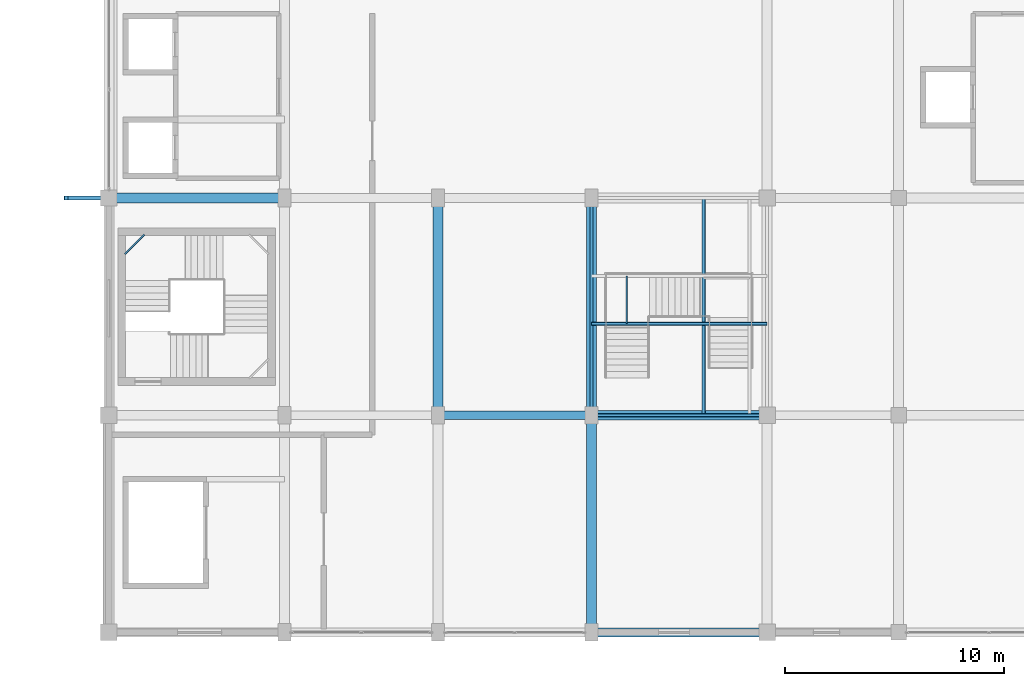
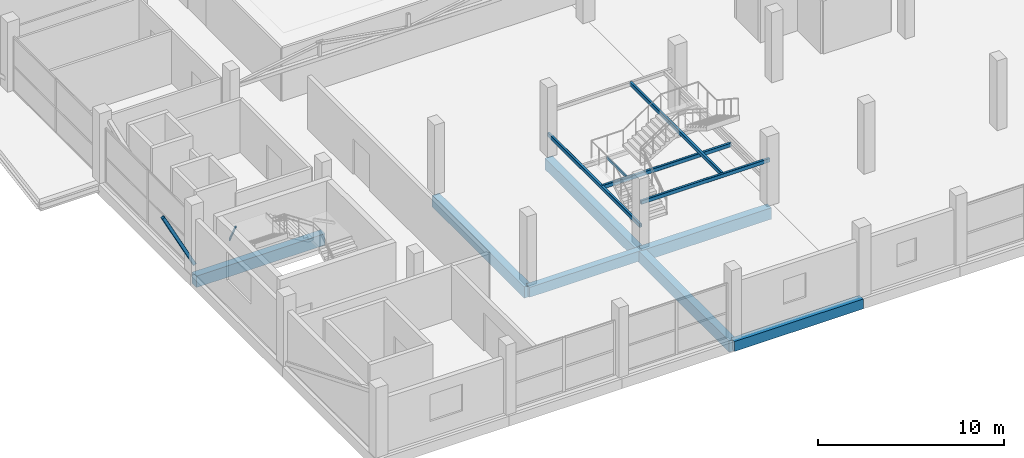
# One storey, part 5 of 58: 13 beams, 1 member.
"""IFC4 building model written with IfcOpenShell, lengths in metres."""

from ifc_helpers import new_model, si_unit, direction, frame, origin, origin_2d, place, context, subcontext, project, spatial, rectangle, hollow_rectangle, extrude, material, material_profile, profile_set, type_object, element, save


model = new_model("IFC4")

# Units and contexts
model_context = context("Model", 3, precision=1e-05, world=origin(), true_north=direction((0.0, 1.0)))
body_context = subcontext(model_context, "Body", "Model", "MODEL_VIEW")
ifc_project = project(units=[si_unit("LENGTHUNIT", "METRE"), si_unit("AREAUNIT", "SQUARE_METRE"), si_unit("VOLUMEUNIT", "CUBIC_METRE"), si_unit("PLANEANGLEUNIT", "RADIAN"), si_unit("MASSUNIT", "GRAM", prefix="KILO")], contexts=[model_context])

# Site, building, storey
site_placement = place(None, origin())
site = spatial("IfcSite", under=ifc_project, at=site_placement, CompositionType="ELEMENT")
building_placement = place(site_placement, origin())
building = spatial("IfcBuilding", under=site, at=building_placement, Name="Sillaruma Civic Art Gallery", CompositionType="ELEMENT")
storey_placement = place(building_placement, frame((0.0, 0.0, 28.56005859375)))
storey = spatial("IfcBuildingStorey", under=building, at=storey_placement, Name="L05", CompositionType="ELEMENT", Elevation=28.56005859375)

# Beams
ifc_material_1 = material(Name="Concrete H35 (35 MPa)", Category="concrete")
ifc_material_profile_1 = material_profile(ifc_material_1, rectangle(XDim=0.39990234375, YDim=0.64990234375, at=origin_2d()), Name="RCB400x650")
ifc_profile_set_1 = profile_set([ifc_material_profile_1], Name="Concrete H35 (35 MPa)")
beam_type_1 = type_object("IfcBeamType", Name="BM-BEAM-RCB400x650", PredefinedType="BEAM", material=ifc_profile_set_1)
beam_1_placement = place(storey_placement, frame((77.0, 29.699951171875, -0.60498046875), z_axis=(1.0, 0.0, 0.0), x_axis=(0.0, 1.0, 0.0)))
element("IfcBeam", 1, at=beam_1_placement, inside=storey, type_object=beam_type_1, Name="Beam BM-05 (L04:4:H-J)", PredefinedType="BEAM", context=body_context, shape_type="SweptSolid", body=[
    extrude(rectangle(XDim=0.39990234375, YDim=0.64990234375, at=origin_2d()), origin(), (0.0, 0.0, 1.0), 7.0),
])
ifc_material_2 = material(Name="Concrete H40 (40 MPa)", Category="concrete")
ifc_material_profile_2 = material_profile(ifc_material_2, rectangle(XDim=0.449951171875, YDim=0.75, at=origin_2d()), Name="RCB450x750")
ifc_profile_set_2 = profile_set([ifc_material_profile_2], Name="Concrete H40 (40 MPa)")
beam_type_2 = type_object("IfcBeamType", Name="BM-BEAM-RCB450x750", PredefinedType="BEAM", material=ifc_profile_set_2)
for number, where, z_axis, x_axis, name in (
    (2, (84.0, 29.699951171875, -0.655029296875), (1.0, 0.0, 0.0), (0.0, 1.0, 0.0), "Beam BM-03 (L04:4:J-K)"),
    (3, (62.0, 39.60009765625, -0.655029296875), (1.0, 0.0, 0.0), (0.0, 1.0, 0.0), "Beam BM-03 (L04:5:F-G)"),
):
    element("IfcBeam", number, at=place(storey_placement, frame(where, z_axis=z_axis, x_axis=x_axis)), inside=storey, type_object=beam_type_2, Name=name, PredefinedType="BEAM", context=body_context, shape_type="SweptSolid", body=[
        extrude(rectangle(XDim=0.449951171875, YDim=0.75, at=origin_2d()), origin(), (0.0, 0.0, 1.0), 8.0),
    ])
beam_2_placement = place(storey_placement, frame((77.0, 29.699951171875, -0.655029296875), z_axis=(0.0, 1.0, 0.0), x_axis=(-1.0, 0.0, 0.0)))
element("IfcBeam", 4, at=beam_2_placement, inside=storey, type_object=beam_type_2, Name="Beam BM-03 (L04:H:4-5)", PredefinedType="BEAM", context=body_context, shape_type="SweptSolid", body=[
    extrude(rectangle(XDim=0.449951171875, YDim=0.75, at=origin_2d()), origin(), (0.0, 0.0, 1.0), 9.900146484375),
])
beam_3_placement = place(storey_placement, frame((84.0, 19.800048828125, -0.655029296875), z_axis=(0.0, 1.0, 0.0), x_axis=(-1.0, 0.0, 0.0)))
element("IfcBeam", 5, at=beam_3_placement, inside=storey, type_object=beam_type_2, Name="Beam BM-03 (L04:J:3-4)", PredefinedType="BEAM", context=body_context, shape_type="SweptSolid", body=[
    extrude(rectangle(XDim=0.449951171875, YDim=0.75, at=origin_2d()), origin(), (0.0, 0.0, 1.0), 9.89990234375),
])
beam_4_placement = place(storey_placement, frame((84.0, 29.699951171875, -0.655029296875), z_axis=(0.0, 1.0, 0.0), x_axis=(-1.0, 0.0, 0.0)))
element("IfcBeam", 6, at=beam_4_placement, inside=storey, type_object=beam_type_2, Name="Beam BM-03 (L04:J:4-5)", PredefinedType="BEAM", context=body_context, shape_type="SweptSolid", body=[
    extrude(rectangle(XDim=0.449951171875, YDim=0.75, at=origin_2d()), origin(), (0.0, 0.0, 1.0), 9.900146484375),
])
ifc_material_3 = material(Name="Structural Steel ASTM A500 Gr.C", Category="steel")
ifc_material_profile_3 = material_profile(ifc_material_3, hollow_rectangle(XDim=0.080078125, YDim=0.159912109375, WallThickness=0.008056640625, InnerFilletRadius=0.008056640625, OuterFilletRadius=0.01611328125, at=origin_2d()), Name="HSS160x80x8")
ifc_profile_set_3 = profile_set([ifc_material_profile_3], Name="Structural Steel ASTM A500 Gr.C")
beam_type_3 = type_object("IfcBeamType", Name="BM-FS-HSS160", PredefinedType="BEAM", material=ifc_profile_set_3)
beam_5_placement = place(storey_placement, frame((85.60009765625, 33.8701171875, 1.264892578125), z_axis=(0.0, 1.0, 0.0), x_axis=(-1.0, 0.0, 0.0)))
element("IfcBeam", 7, at=beam_5_placement, inside=storey, type_object=beam_type_3, Name="Feature Stair L1 Spreader (ST-G02)", PredefinedType="BEAM", context=body_context, shape_type="SweptSolid", body=[
    extrude(hollow_rectangle(XDim=0.080078125, YDim=0.159912109375, WallThickness=0.008056640625, InnerFilletRadius=0.008056640625, OuterFilletRadius=0.01611328125, at=origin_2d()), origin(), (0.0, 0.0, 1.0), 2.179931640625),
])
ifc_material_profile_4 = material_profile(ifc_material_3, hollow_rectangle(XDim=0.080078125, YDim=0.159912109375, WallThickness=0.008056640625, InnerFilletRadius=0.008056640625, OuterFilletRadius=0.01611328125, at=origin_2d()), Name="HSS160x80x8")
ifc_profile_set_4 = profile_set([ifc_material_profile_4], Name="Structural Steel ASTM A500 Gr.C")
beam_type_4 = type_object("IfcBeamType", Name="BM-LND-HSS160", PredefinedType="BEAM", material=ifc_profile_set_4)
beam_6_placement = place(storey_placement, frame((62.719970703125, 37.0400390625, 3.2900390625), z_axis=(0.707203758046, 0.707009791025, 0.0), x_axis=(-0.707009791025, 0.707203758046, 0.0)))
element("IfcBeam", 8, at=beam_6_placement, inside=storey, type_object=beam_type_4, Name="Stair Corner Landing Trimmer Beam (ST-03-L05-3)", PredefinedType="BEAM", context=body_context, shape_type="SweptSolid", body=[
    extrude(hollow_rectangle(XDim=0.080078125, YDim=0.159912109375, WallThickness=0.008056640625, InnerFilletRadius=0.008056640625, OuterFilletRadius=0.01611328125, at=origin_2d()), origin(), (0.0, 0.0, 1.0), 1.2587890625),
])
ifc_material_profile_5 = material_profile(ifc_material_3, hollow_rectangle(XDim=0.14990234375, YDim=0.25, WallThickness=0.010009765625, InnerFilletRadius=0.010009765625, OuterFilletRadius=0.02001953125, at=origin_2d()), Name="HSS250x150x10")
ifc_profile_set_5 = profile_set([ifc_material_profile_5], Name="Structural Steel ASTM A500 Gr.C")
beam_type_5 = type_object("IfcBeamType", Name="BM-LND-HSS200", PredefinedType="BEAM", material=ifc_profile_set_5)
beam_7_placement = place(storey_placement, frame((84.0, 29.699951171875, 1.219970703125), z_axis=(0.0, 1.0, 0.0), x_axis=(-1.0, 0.0, 0.0)))
element("IfcBeam", 9, at=beam_7_placement, inside=storey, type_object=beam_type_5, Name="Feature Stair L1 Rail (ST-G02-W)", PredefinedType="BEAM", context=body_context, shape_type="SweptSolid", body=[
    extrude(hollow_rectangle(XDim=0.14990234375, YDim=0.25, WallThickness=0.010009765625, InnerFilletRadius=0.010009765625, OuterFilletRadius=0.02001953125, at=origin_2d()), origin(), (0.0, 0.0, 1.0), 9.900146484375),
])
for number, where, z_axis, x_axis, name in (
    (10, (84.0, 33.8701171875, 1.219970703125), (1.0, 0.0, 0.0), (0.0, 1.0, 0.0), "Feature Stair L1 Girder (ST-G02-1)"),
    (11, (84.0, 29.699951171875, 2.75), (1.0, 0.0, 0.0), (0.0, 1.0, 0.0), "Feature Stair L2 Rail (ST-G02-S)"),
):
    element("IfcBeam", number, at=place(storey_placement, frame(where, z_axis=z_axis, x_axis=x_axis)), inside=storey, type_object=beam_type_5, Name=name, PredefinedType="BEAM", context=body_context, shape_type="SweptSolid", body=[
        extrude(hollow_rectangle(XDim=0.14990234375, YDim=0.25, WallThickness=0.010009765625, InnerFilletRadius=0.010009765625, OuterFilletRadius=0.02001953125, at=origin_2d()), origin(), (0.0, 0.0, 1.0), 8.0),
    ])
beam_8_placement = place(storey_placement, frame((89.110107421875, 29.699951171875, 2.75), z_axis=(0.0, 1.0, 0.0), x_axis=(-1.0, 0.0, 0.0)))
element("IfcBeam", 12, at=beam_8_placement, inside=storey, type_object=beam_type_5, Name="Feature Stair L2 Girder (ST-G02-1)", PredefinedType="BEAM", context=body_context, shape_type="SweptSolid", body=[
    extrude(hollow_rectangle(XDim=0.14990234375, YDim=0.25, WallThickness=0.010009765625, InnerFilletRadius=0.010009765625, OuterFilletRadius=0.02001953125, at=origin_2d()), origin(), (0.0, 0.0, 1.0), 9.900146484375),
])
ifc_material_profile_6 = material_profile(ifc_material_1, rectangle(XDim=0.39990234375, YDim=0.64990234375, at=origin_2d()), Name="RCB400x650")
ifc_profile_set_6 = profile_set([ifc_material_profile_6], Name="Concrete H35 (35 MPa)")
beam_type_6 = type_object("IfcBeamType", Name="BM-SPANDREL-RCB400x650", PredefinedType="SPANDREL", material=ifc_profile_set_6)
beam_9_placement = place(storey_placement, frame((84.0, 19.800048828125, -0.60498046875), z_axis=(1.0, 0.0, 0.0), x_axis=(0.0, 1.0, 0.0)))
element("IfcBeam", 13, at=beam_9_placement, inside=storey, type_object=beam_type_6, Name="Beam BS-02 (L04:3:J-K)", PredefinedType="SPANDREL", context=body_context, shape_type="SweptSolid", body=[
    extrude(rectangle(XDim=0.39990234375, YDim=0.64990234375, at=origin_2d()), origin(), (0.0, 0.0, 1.0), 8.0),
])

# Member
ifc_material_profile_7 = material_profile(ifc_material_3, hollow_rectangle(XDim=0.199951171875, YDim=0.199951171875, WallThickness=0.010009765625, InnerFilletRadius=0.010009765625, OuterFilletRadius=0.02001953125, at=origin_2d()), Name="HSS200x200x10")
ifc_profile_set_7 = profile_set([ifc_material_profile_7], Name="Structural Steel ASTM A500 Gr.C")
member_type = type_object("IfcMemberType", Name="MEM-PROW-BRACE", PredefinedType="BRACE", material=ifc_profile_set_7)
member_placement = place(storey_placement, frame((62.0, 39.60009765625, 0.39990234375), z_axis=(-0.462837302661, 0.0, 0.886443247628), x_axis=(0.0, -1.0, 0.0)))
element("IfcMember", 14, at=member_placement, inside=storey, type_object=member_type, Name="Deconstructivist Prow Diagonal Brace (PRW-L06-W-FLR-S)", PredefinedType="BRACE", context=body_context, shape_type="SweptSolid", body=[
    extrude(hollow_rectangle(XDim=0.199951171875, YDim=0.199951171875, WallThickness=0.010009765625, InnerFilletRadius=0.010009765625, OuterFilletRadius=0.02001953125, at=origin_2d()), origin(), (0.0, 0.0, 1.0), 4.213134765625),
])

save(model, "model.ifc")
